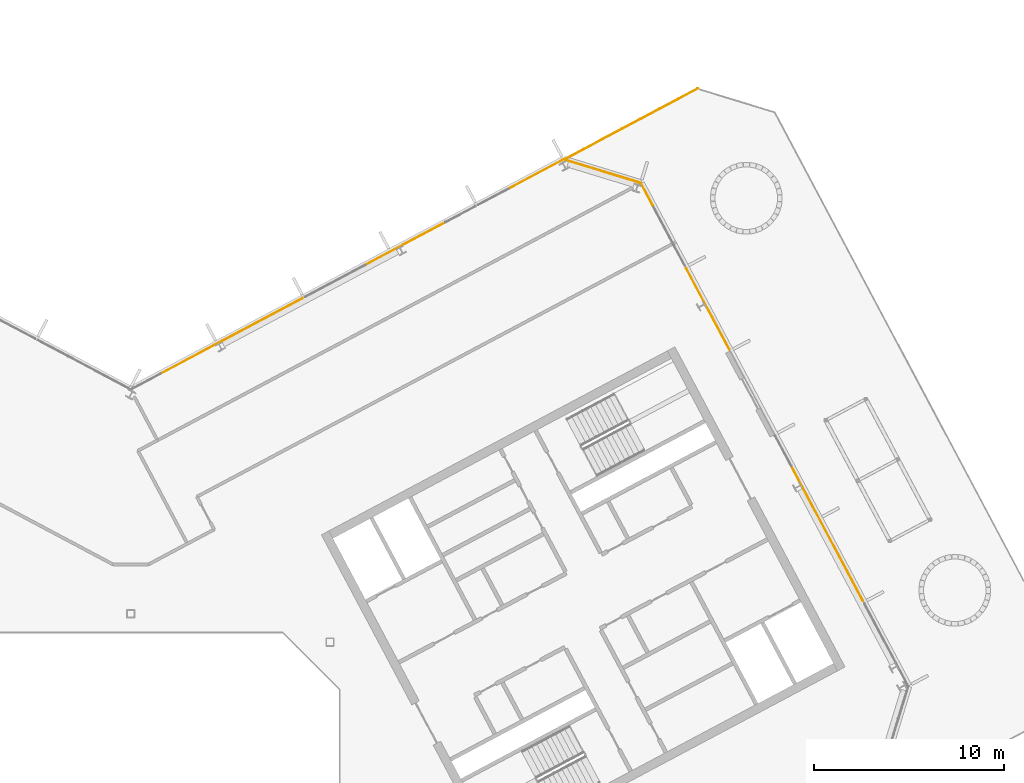
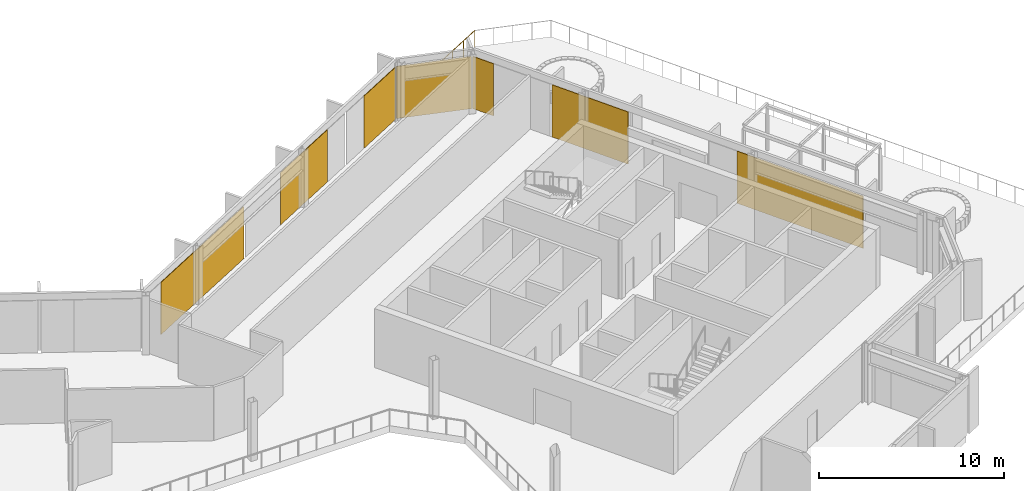
# One storey, part 28 of 30: 7 coverings, 1 railing, 3 elements without a shape of their own.
"""IFC4 building model written with IfcOpenShell, lengths in metres."""

from ifc_helpers import new_model, si_unit, direction, frame, origin, origin_2d, place, context, subcontext, project, spatial, polyline, rectangle, outline, extrude, material, layer, layer_set, type_object, element, aggregate, save


model = new_model("IFC4")

# Units and contexts
model_context = context("Model", 3, precision=1e-05, world=origin(), true_north=direction((0.0, 1.0)))
body_context = subcontext(model_context, "Body", "Model", "MODEL_VIEW")
ifc_project = project(units=[si_unit("LENGTHUNIT", "METRE"), si_unit("AREAUNIT", "SQUARE_METRE"), si_unit("VOLUMEUNIT", "CUBIC_METRE"), si_unit("PLANEANGLEUNIT", "RADIAN"), si_unit("MASSUNIT", "GRAM", prefix="KILO")], contexts=[model_context])

# Site, building, storey
site_placement = place(None, origin())
site = spatial("IfcSite", under=ifc_project, at=site_placement, CompositionType="ELEMENT")
building_placement = place(site_placement, origin())
building = spatial("IfcBuilding", under=site, at=building_placement, Name="Cormorant Relay Tower", CompositionType="ELEMENT")
storey_placement = place(building_placement, frame((0.0, 0.0, 258.0)))
storey = spatial("IfcBuildingStorey", under=building, at=storey_placement, Name="L57", CompositionType="ELEMENT", Elevation=258.0)

# Curtain wall, coverings
ifc_material_1 = material(Name="Aluminium 6063-T6 anodised bronze", Category="aluminium")
ifc_layer_1 = layer(ifc_material_1, 0.199951171875)
ifc_layer_set_1 = layer_set([ifc_layer_1], Name="CW1 unitised bronze curtain wall with vertical fins")
curtain_wall_type = type_object("IfcCurtainWallType", Name="CW1 unitised bronze curtain wall with vertical fins", PredefinedType="NOTDEFINED", material=ifc_layer_set_1)
curtain_wall_1_placement = place(storey_placement, origin())
curtain_wall_1 = element("IfcCurtainWall", 1, at=curtain_wall_1_placement, inside=storey, type_object=curtain_wall_type, Name="CW1 curtain wall 6", PredefinedType="NOTDEFINED")
ifc_material_2 = material(Name="Pale bronze anodised aluminium insulated panel", Category="aluminium")
ifc_layer_2 = layer(ifc_material_2, 0.0400390625)
ifc_layer_set_2 = layer_set([ifc_layer_2], Name="CW1 pale bronze insulated panel 40")
covering_type = type_object("IfcCoveringType", Name="CW1 pale bronze insulated panel 40", PredefinedType="CLADDING", material=ifc_layer_set_2)
covering_1_placement = place(storey_placement, frame((36.697021484375, 16.227783203125, 0.0), z_axis=(0.0, 0.0, 1.0), x_axis=(-0.469471562786, 0.882947592859, 0.0)))
covering_1 = element("IfcCovering", 2, at=covering_1_placement, type_object=covering_type, Name="CW1 panel S02", PredefinedType="CLADDING", context=body_context, shape_type="SweptSolid", body=[
    extrude(rectangle(XDim=8.050048828125, YDim=0.0400390625, at=origin_2d()), origin(), (0.0, 0.0, 1.0), 3.449951171875),
])
covering_2_placement = place(storey_placement, frame((30.406005859375, 28.05908203125, 0.0), z_axis=(0.0, 0.0, 1.0), x_axis=(-0.469471562786, 0.882947592859, 0.0)))
covering_2 = element("IfcCovering", 3, at=covering_2_placement, type_object=covering_type, Name="CW1 panel S05", PredefinedType="CLADDING", context=body_context, shape_type="SweptSolid", body=[
    extrude(rectangle(XDim=4.85009765625, YDim=0.0400390625, at=origin_2d()), origin(), (0.0, 0.0, 1.0), 3.449951171875),
])
covering_3_placement = place(storey_placement, frame((27.196044921875, 34.096435546875, 0.0), z_axis=(0.0, 0.0, 1.0), x_axis=(-0.469471562786, 0.882947592859, 0.0)))
covering_3 = element("IfcCovering", 4, at=covering_3_placement, type_object=covering_type, Name="CW1 panel S07", PredefinedType="CLADDING", context=body_context, shape_type="SweptSolid", body=[
    extrude(rectangle(XDim=1.324951171875, YDim=0.0400390625, at=origin_2d()), origin(), (0.0, 0.0, 1.0), 3.449951171875),
])
aggregate(curtain_wall_1, [covering_1, covering_2, covering_3])

# Curtain wall, covering
curtain_wall_2_placement = place(storey_placement, origin())
curtain_wall_2 = element("IfcCurtainWall", 5, at=curtain_wall_2_placement, inside=storey, type_object=curtain_wall_type, Name="CW1 curtain wall 7", PredefinedType="NOTDEFINED")
covering_4_placement = place(storey_placement, frame((24.808837890625, 35.322265625, 0.0), z_axis=(0.0, 0.0, 1.0), x_axis=(-0.956304755963, 0.292371704723, 0.0)))
covering_4 = element("IfcCovering", 6, at=covering_4_placement, type_object=covering_type, Name="CW1 panel S00", PredefinedType="CLADDING", context=body_context, shape_type="SweptSolid", body=[
    extrude(rectangle(XDim=4.16748046875, YDim=0.0400390625, at=origin_2d()), origin(), (0.0, 0.0, 1.0), 3.449951171875),
])
aggregate(curtain_wall_2, [covering_4])

# Curtain wall, coverings
curtain_wall_3_placement = place(storey_placement, origin())
curtain_wall_3 = element("IfcCurtainWall", 7, at=curtain_wall_3_placement, inside=storey, type_object=curtain_wall_type, Name="CW1 curtain wall 8", PredefinedType="NOTDEFINED")
covering_5_placement = place(storey_placement, frame((21.314453125, 35.1396484375, 0.0), z_axis=(0.0, 0.0, 1.0), x_axis=(-0.882947592859, -0.469471562786, 0.0)))
covering_5 = element("IfcCovering", 8, at=covering_5_placement, type_object=covering_type, Name="CW1 panel S00", PredefinedType="CLADDING", context=body_context, shape_type="SweptSolid", body=[
    extrude(rectangle(XDim=3.216796875, YDim=0.0400390625, at=origin_2d()), origin(), (0.0, 0.0, 1.0), 3.449951171875),
])
covering_6_placement = place(storey_placement, frame((14.471435546875, 31.501220703125, 0.0), z_axis=(0.0, 0.0, 1.0), x_axis=(-0.882947592859, -0.469471562786, 0.0)))
covering_6 = element("IfcCovering", 9, at=covering_6_placement, type_object=covering_type, Name="CW1 panel S03", PredefinedType="CLADDING", context=body_context, shape_type="SweptSolid", body=[
    extrude(rectangle(XDim=4.78369140625, YDim=0.0400390625, at=origin_2d()), origin(), (0.0, 0.0, 1.0), 3.449951171875),
])
covering_7_placement = place(storey_placement, frame((5.314208984375, 26.632080078125, 0.0), z_axis=(0.0, 0.0, 1.0), x_axis=(-0.882947592859, -0.469471562786, 0.0)))
covering_7 = element("IfcCovering", 10, at=covering_7_placement, type_object=covering_type, Name="CW1 panel S05", PredefinedType="CLADDING", context=body_context, shape_type="SweptSolid", body=[
    extrude(rectangle(XDim=8.45849609375, YDim=0.0400390625, at=origin_2d()), origin(), (0.0, 0.0, 1.0), 3.449951171875),
])
aggregate(curtain_wall_3, [covering_5, covering_6, covering_7])

# Railing
ifc_material_3 = material(Name="Stainless steel guard with laminated glass infill", Category="steel")
railing_type = type_object("IfcRailingType", Name="Slab edge guard 1100", PredefinedType="GUARDRAIL", material=ifc_material_3)
railing_placement = place(storey_placement, frame((22.87255859375, 35.945556640625, 0.0)))
element("IfcRailing", 11, at=railing_placement, inside=storey, type_object=railing_type, Name="Terrace guard L57", PredefinedType="GUARDRAIL", context=body_context, shape_type="SweptSolid", body=[
    extrude(outline(polyline([(0.022216796875, 0.00927734375), (0.00927734375, 0.022216796875), (-0.00927734375, 0.022216796875), (-0.022216796875, 0.00927734375), (-0.022216796875, -0.00927734375), (-0.00927734375, -0.022216796875), (0.00927734375, -0.022216796875), (0.022216796875, -0.00927734375), (0.022216796875, 0.00927734375)])), frame((0.0, 0.0, 1.076171875), z_axis=(0.882945440689, 0.469475610406, 0.0), x_axis=(-0.469475610406, 0.882945440689, 0.0)), (0.0, 0.0, 1.0), 7.929443359375),
    extrude(outline(polyline([(0.019287109375, 0.008056640625), (0.008056640625, 0.019287109375), (-0.008056640625, 0.019287109375), (-0.019287109375, 0.008056640625), (-0.019287109375, -0.008056640625), (-0.008056640625, -0.019287109375), (0.008056640625, -0.019287109375), (0.019287109375, -0.008056640625), (0.019287109375, 0.008056640625)])), origin(), (0.0, 0.0, 1.0), 1.052001953125),
    extrude(outline(polyline([(0.019287109375, 0.008056640625), (0.008056640625, 0.019287109375), (-0.008056640625, 0.019287109375), (-0.019287109375, 0.008056640625), (-0.019287109375, -0.008056640625), (-0.008056640625, -0.019287109375), (0.008056640625, -0.019287109375), (0.019287109375, -0.008056640625), (0.019287109375, 0.008056640625)])), frame((1.000244140625, 0.53173828125, 0.0)), (0.0, 0.0, 1.0), 1.052001953125),
    extrude(outline(polyline([(0.019287109375, 0.008056640625), (0.008056640625, 0.019287109375), (-0.008056640625, 0.019287109375), (-0.019287109375, 0.008056640625), (-0.019287109375, -0.008056640625), (-0.008056640625, -0.019287109375), (0.008056640625, -0.019287109375), (0.019287109375, -0.008056640625), (0.019287109375, 0.008056640625)])), frame((2.000244140625, 1.063720703125, 0.0)), (0.0, 0.0, 1.0), 1.052001953125),
    extrude(outline(polyline([(0.019287109375, 0.008056640625), (0.008056640625, 0.019287109375), (-0.008056640625, 0.019287109375), (-0.019287109375, 0.008056640625), (-0.019287109375, -0.008056640625), (-0.008056640625, -0.019287109375), (0.008056640625, -0.019287109375), (0.019287109375, -0.008056640625), (0.019287109375, 0.008056640625)])), frame((3.00048828125, 1.595458984375, 0.0)), (0.0, 0.0, 1.0), 1.052001953125),
    extrude(outline(polyline([(0.019287109375, 0.008056640625), (0.008056640625, 0.019287109375), (-0.008056640625, 0.019287109375), (-0.019287109375, 0.008056640625), (-0.019287109375, -0.008056640625), (-0.008056640625, -0.019287109375), (0.008056640625, -0.019287109375), (0.019287109375, -0.008056640625), (0.019287109375, 0.008056640625)])), frame((4.000732421875, 2.127197265625, 0.0)), (0.0, 0.0, 1.0), 1.052001953125),
    extrude(outline(polyline([(0.019287109375, 0.008056640625), (0.008056640625, 0.019287109375), (-0.008056640625, 0.019287109375), (-0.019287109375, 0.008056640625), (-0.019287109375, -0.008056640625), (-0.008056640625, -0.019287109375), (0.008056640625, -0.019287109375), (0.019287109375, -0.008056640625), (0.019287109375, 0.008056640625)])), frame((5.0009765625, 2.658935546875, 0.0)), (0.0, 0.0, 1.0), 1.052001953125),
    extrude(outline(polyline([(0.019287109375, 0.008056640625), (0.008056640625, 0.019287109375), (-0.008056640625, 0.019287109375), (-0.019287109375, 0.008056640625), (-0.019287109375, -0.008056640625), (-0.008056640625, -0.019287109375), (0.008056640625, -0.019287109375), (0.019287109375, -0.008056640625), (0.019287109375, 0.008056640625)])), frame((6.0009765625, 3.19091796875, 0.0)), (0.0, 0.0, 1.0), 1.052001953125),
    extrude(outline(polyline([(0.019287109375, 0.008056640625), (0.008056640625, 0.019287109375), (-0.008056640625, 0.019287109375), (-0.019287109375, 0.008056640625), (-0.019287109375, -0.008056640625), (-0.008056640625, -0.019287109375), (0.008056640625, -0.019287109375), (0.019287109375, -0.008056640625), (0.019287109375, 0.008056640625)])), frame((7.001220703125, 3.72265625, 0.0)), (0.0, 0.0, 1.0), 1.052001953125),
])

save(model, "model.ifc")
